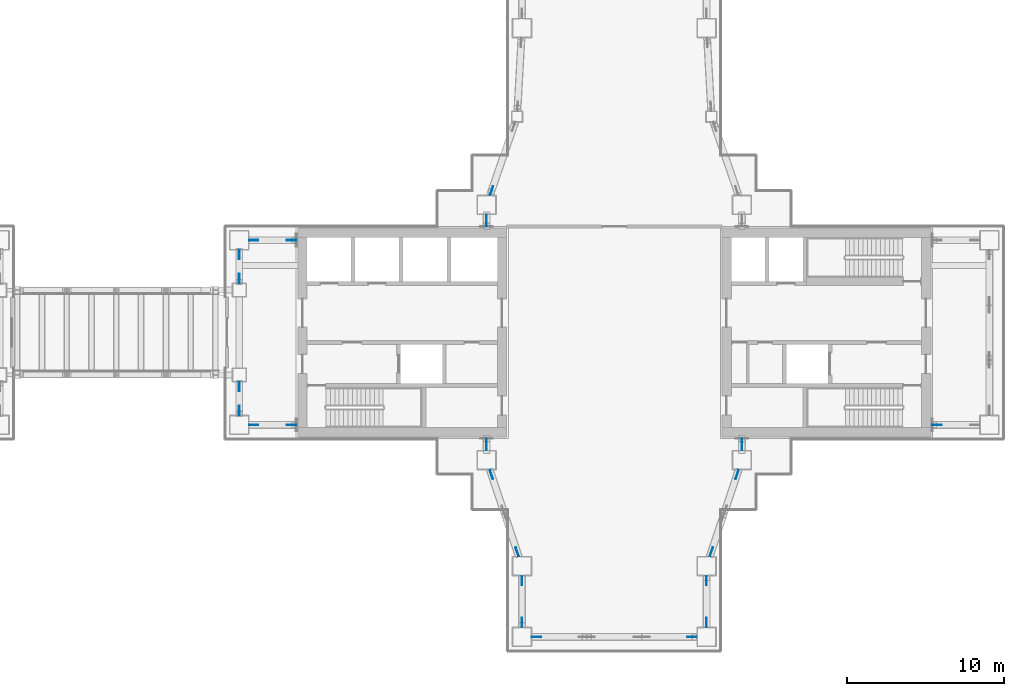
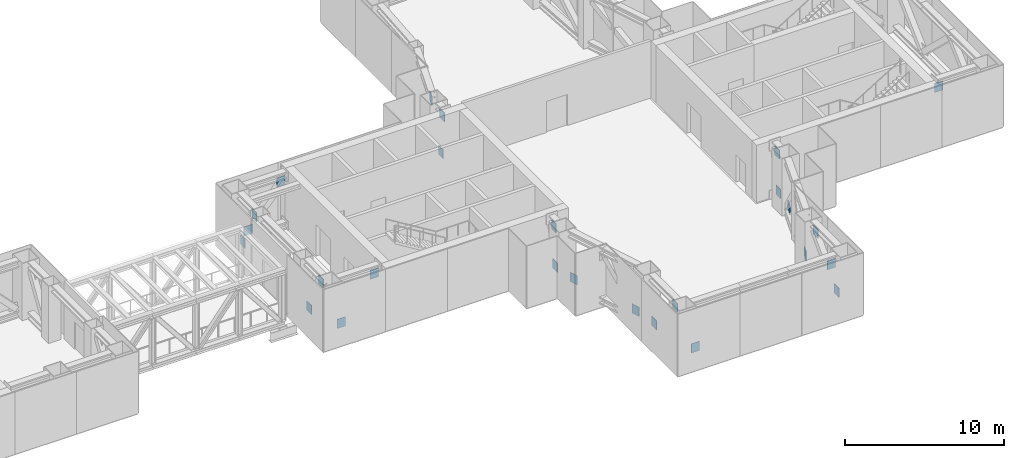
# One storey, part 18 of 21: 26 discrete accessories.
"""IFC4 building model written with IfcOpenShell, lengths in metres."""

from ifc_helpers import new_model, si_unit, direction, frame, origin, origin_2d, place, context, subcontext, project, spatial, rectangle, extrude, material, layer, layer_set, type_object, element, save


model = new_model("IFC4")

# Units and contexts
model_context = context("Model", 3, precision=1e-05, world=origin(), true_north=direction((0.0, 1.0)))
body_context = subcontext(model_context, "Body", "Model", "MODEL_VIEW")
ifc_project = project(units=[si_unit("LENGTHUNIT", "METRE"), si_unit("AREAUNIT", "SQUARE_METRE"), si_unit("VOLUMEUNIT", "CUBIC_METRE"), si_unit("PLANEANGLEUNIT", "RADIAN"), si_unit("MASSUNIT", "GRAM", prefix="KILO")], contexts=[model_context])

# Site, building, storey
site_placement = place(None, origin())
site = spatial("IfcSite", under=ifc_project, at=site_placement, CompositionType="ELEMENT")
building_placement = place(site_placement, origin())
building = spatial("IfcBuilding", under=site, at=building_placement, Name="Shamsa Quay Exchange Towers", CompositionType="ELEMENT")
storey_placement = place(building_placement, frame((0.0, 0.0, 128.699951171875)))
storey = spatial("IfcBuildingStorey", under=building, at=storey_placement, Name="L30", CompositionType="ELEMENT", Elevation=128.699951171875)

# Discrete accessories
ifc_material = material(Name="Steel S355", Category="steel")
ifc_layer = layer(ifc_material, 0.0400390625)
ifc_layer_set = layer_set([ifc_layer], Name="End plate 600x700x40")
discrete_accessory_type = type_object("IfcDiscreteAccessoryType", Name="End plate 600x700x40", PredefinedType="BRACKET", material=ifc_layer_set)
for number, where, name in (
    (1, (10.800048828125, -5.875, 0.38134765625), "End plate T2 L30"),
    (2, (13.199951171875, -5.875, 3.31884765625), "End plate T2 L30"),
):
    element("IfcDiscreteAccessory", number, at=place(storey_placement, frame(where)), inside=storey, type_object=discrete_accessory_type, Name=name, PredefinedType="BRACKET", context=body_context, shape_type="SweptSolid", body=[
        extrude(rectangle(XDim=0.60009765625, YDim=0.0400390625, at=origin_2d()), origin(), (0.0, 0.0, 1.0), 0.699951171875),
    ])
for number, where, z_axis, x_axis, name in (
    (3, (25.625, -7.199951171875, 0.38134765625), (0.0, 0.0, 1.0), (0.0, 1.0, 0.0), "End plate T2 L30"),
    (4, (25.625, -7.050048828125, 3.31884765625), (0.0, 0.0, 1.0), (0.0, 1.0, 0.0), "End plate T2 L30"),
    (5, (25.92822265625, -9.03466796875, 0.38134765625), (0.0, 0.0, 1.0), (0.316227766018, -0.94868329805, 0.0), "End plate T2 L30"),
    (6, (27.57177734375, -13.96533203125, 0.38134765625), (0.0, 0.0, 1.0), (0.316227766018, -0.94868329805, 0.0), "End plate T2 L30"),
    (7, (27.875, -15.800048828125, 0.38134765625), (0.0, 0.0, 1.0), (0.0, -1.0, 0.0), "End plate T2 L30"),
    (8, (27.875, -18.449951171875, 3.31884765625), (0.0, 0.0, 1.0), (0.0, -1.0, 0.0), "End plate T2 L30"),
):
    element("IfcDiscreteAccessory", number, at=place(storey_placement, frame(where, z_axis=z_axis, x_axis=x_axis)), inside=storey, type_object=discrete_accessory_type, Name=name, PredefinedType="BRACKET", context=body_context, shape_type="SweptSolid", body=[
        extrude(rectangle(XDim=0.60009765625, YDim=0.0400390625, at=origin_2d()), origin(), (0.0, 0.0, 1.0), 0.699951171875),
    ])
for number, where, name in (
    (9, (28.800048828125, -19.375, 0.38134765625), "End plate T2 L30"),
    (10, (38.699951171875, -19.375, 3.31884765625), "End plate T2 L30"),
):
    element("IfcDiscreteAccessory", number, at=place(storey_placement, frame(where)), inside=storey, type_object=discrete_accessory_type, Name=name, PredefinedType="BRACKET", context=body_context, shape_type="SweptSolid", body=[
        extrude(rectangle(XDim=0.60009765625, YDim=0.0400390625, at=origin_2d()), origin(), (0.0, 0.0, 1.0), 0.699951171875),
    ])
for number, where, z_axis, x_axis, name in (
    (11, (39.625, -18.449951171875, 0.38134765625), (0.0, 0.0, 1.0), (0.0, 1.0, 0.0), "End plate T2 L30"),
    (12, (39.625, -15.800048828125, 3.31884765625), (0.0, 0.0, 1.0), (0.0, 1.0, 0.0), "End plate T2 L30"),
    (13, (39.92822265625, -13.96533203125, 0.38134765625), (0.0, 0.0, 1.0), (0.316227766018, 0.94868329805, 0.0), "End plate T2 L30"),
    (14, (41.57177734375, -9.03466796875, 0.38134765625), (0.0, 0.0, 1.0), (0.316227766018, 0.94868329805, 0.0), "End plate T2 L30"),
    (15, (41.875, -7.199951171875, 0.38134765625), (0.0, 0.0, 1.0), (0.0, 1.0, 0.0), "End plate T2 L30"),
    (16, (41.875, -7.050048828125, 3.31884765625), (0.0, 0.0, 1.0), (0.0, 1.0, 0.0), "End plate T2 L30"),
    (17, (54.300048828125, -5.875, 3.31884765625), (0.0, 0.0, 1.0), (-1.0, 0.0, 0.0), "End plate T2 L30"),
    (18, (25.93798828125, 9.03369140625, 3.31884765625), (0.0, 0.0, 1.0), (-0.325666906351, -0.945484566827, 0.0), "End plate T2 L30"),
    (19, (25.625, 7.199951171875, 0.38134765625), (0.0, 0.0, 1.0), (0.0, -1.0, 0.0), "End plate T2 L30"),
    (20, (25.625, 7.050048828125, 3.31884765625), (0.0, 0.0, 1.0), (0.0, -1.0, 0.0), "End plate T2 L30"),
):
    element("IfcDiscreteAccessory", number, at=place(storey_placement, frame(where, z_axis=z_axis, x_axis=x_axis)), inside=storey, type_object=discrete_accessory_type, Name=name, PredefinedType="BRACKET", context=body_context, shape_type="SweptSolid", body=[
        extrude(rectangle(XDim=0.60009765625, YDim=0.0400390625, at=origin_2d()), origin(), (0.0, 0.0, 1.0), 0.699951171875),
    ])
for number, where, name in (
    (21, (10.800048828125, 5.875, 0.38134765625), "End plate T2 L30"),
    (22, (13.199951171875, 5.875, 3.31884765625), "End plate T2 L30"),
):
    element("IfcDiscreteAccessory", number, at=place(storey_placement, frame(where)), inside=storey, type_object=discrete_accessory_type, Name=name, PredefinedType="BRACKET", context=body_context, shape_type="SweptSolid", body=[
        extrude(rectangle(XDim=0.60009765625, YDim=0.0400390625, at=origin_2d()), origin(), (0.0, 0.0, 1.0), 0.699951171875),
    ])
for number, where, z_axis, x_axis, name in (
    (23, (9.875, 4.949951171875, 0.38134765625), (0.0, 0.0, 1.0), (0.0, -1.0, 0.0), "End plate T2 L30"),
    (24, (9.875, 3.449951171875, 3.31884765625), (0.0, 0.0, 1.0), (0.0, -1.0, 0.0), "End plate T2 L30"),
    (25, (9.875, -3.449951171875, 0.38134765625), (0.0, 0.0, 1.0), (0.0, -1.0, 0.0), "End plate T2 L30"),
    (26, (9.875, -4.949951171875, 3.31884765625), (0.0, 0.0, 1.0), (0.0, -1.0, 0.0), "End plate T2 L30"),
):
    element("IfcDiscreteAccessory", number, at=place(storey_placement, frame(where, z_axis=z_axis, x_axis=x_axis)), inside=storey, type_object=discrete_accessory_type, Name=name, PredefinedType="BRACKET", context=body_context, shape_type="SweptSolid", body=[
        extrude(rectangle(XDim=0.60009765625, YDim=0.0400390625, at=origin_2d()), origin(), (0.0, 0.0, 1.0), 0.699951171875),
    ])

save(model, "model.ifc")
